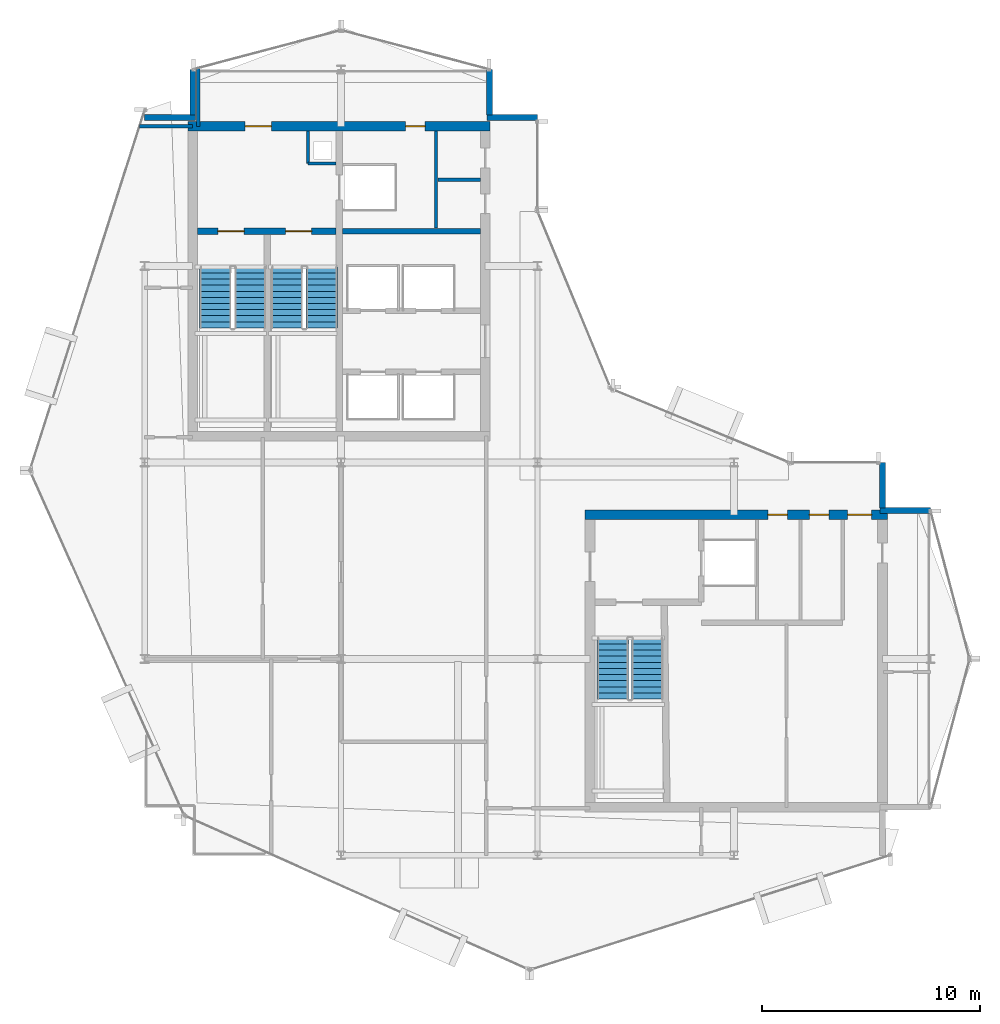
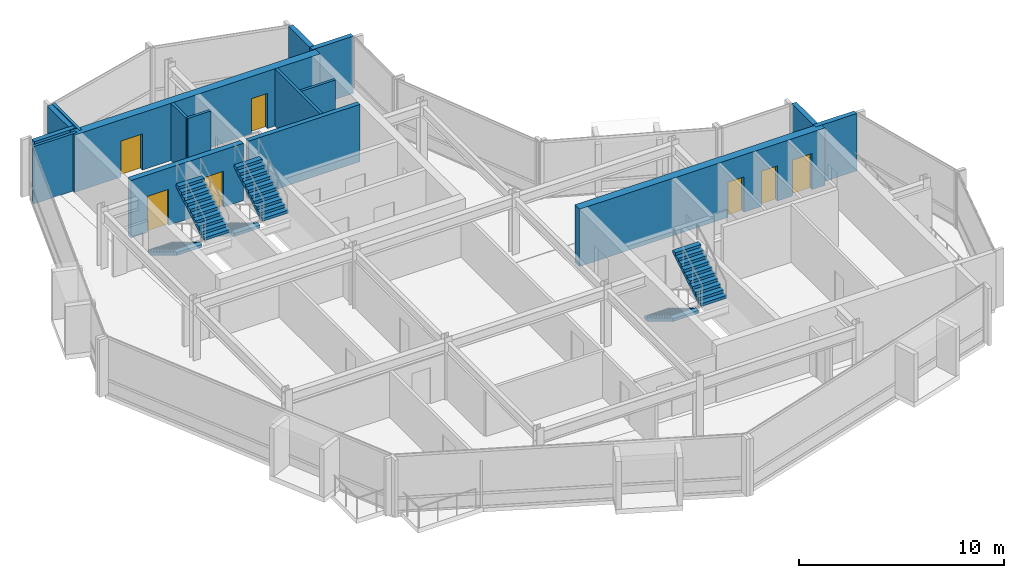
# One storey, part 15 of 19: 16 walls, 7 doors, 6 stair flights, 7 openings, 3 elements without a shape of their own.
"""IFC4 building model written with IfcOpenShell, lengths in metres."""

from ifc_helpers import new_model, si_unit, direction, frame, frame_2d, origin, place, context, subcontext, project, spatial, polyline, rectangle, outline, extrude, material, layer, layer_set, type_object, element, fill, aggregate, save


model = new_model("IFC4")

# Units and contexts
model_context = context("Model", 3, precision=1e-05, world=origin(), true_north=direction((0.0, 1.0)))
body_context = subcontext(model_context, "Body", "Model", "MODEL_VIEW")
ifc_project = project(units=[si_unit("LENGTHUNIT", "METRE"), si_unit("AREAUNIT", "SQUARE_METRE"), si_unit("VOLUMEUNIT", "CUBIC_METRE"), si_unit("PLANEANGLEUNIT", "RADIAN"), si_unit("MASSUNIT", "GRAM", prefix="KILO")], contexts=[model_context])

# Site, building, storey
site_placement = place(None, origin())
site = spatial("IfcSite", under=ifc_project, at=site_placement, CompositionType="ELEMENT")
building_placement = place(site_placement, origin())
building = spatial("IfcBuilding", under=site, at=building_placement, Name="Solvaryn Broadcast Tower", CompositionType="ELEMENT")
storey_placement = place(building_placement, frame((0.0, 0.0, 251.89990234375)))
storey = spatial("IfcBuildingStorey", under=building, at=storey_placement, Name="L63", CompositionType="ELEMENT", Elevation=251.89990234375)

# Wall, openings, doors
ifc_material_1 = material(Name="Concrete f'c 70 MPa", Category="concrete")
ifc_layer_1 = layer(ifc_material_1, 0.449951171875)
ifc_layer_set_1 = layer_set([ifc_layer_1], Name="CW-SHEAR-450")
wall_type_1 = type_object("IfcWallType", Name="CW-SHEAR-450", PredefinedType="SHEAR", material=ifc_layer_set_1)
wall_1_placement = place(storey_placement, frame((24.824951171875, 42.39990234375, 0.0), z_axis=(0.0, 0.0, 1.0), x_axis=(-1.0, 0.0, 0.0)))
wall_1 = element("IfcWall", 1, at=wall_1_placement, inside=storey, type_object=wall_type_1, Name="L63 West Core North Shear Wall", PredefinedType="SHEAR", context=body_context, shape_type="SweptSolid", body=[
    extrude(rectangle(XDim=13.849853515625, YDim=0.449951171875, at=frame_2d((6.9248046875, 0.0))), origin(), (0.0, 0.0, 1.0), 3.420166015625),
])
opening_1_placement = place(wall_1_placement, frame((10.02490234375, 0.0, 0.0)))
opening_1 = element("IfcOpeningElement", 2, at=opening_1_placement, cuts=wall_1, Name="Opening FD90A", PredefinedType="OPENING", context=body_context, shape_type="SweptSolid", body=[
    extrude(rectangle(XDim=1.199951171875, YDim=2.14990234375, at=frame_2d((0.60009765625, 1.074951171875))), frame((0.0, 0.235107421875, 0.0), z_axis=(0.0, -1.0, 0.0), x_axis=(1.0, 0.0, 0.0)), (0.0, 0.0, 1.0), 0.469970703125),
])
opening_2_placement = place(wall_1_placement, frame((2.97509765625, 0.0, 0.0)))
opening_2 = element("IfcOpeningElement", 3, at=opening_2_placement, cuts=wall_1, Name="Opening FD60C", PredefinedType="OPENING", context=body_context, shape_type="SweptSolid", body=[
    extrude(rectangle(XDim=0.89990234375, YDim=2.10009765625, at=frame_2d((0.449951171875, 1.050048828125))), frame((0.0, 0.235107421875, 0.0), z_axis=(0.0, -1.0, 0.0), x_axis=(1.0, 0.0, 0.0)), (0.0, 0.0, 1.0), 0.469970703125),
])
ifc_material_2 = material(Name="Flush Acoustic Steel and Timber Door Assembly", Category="steel")
door_type_1 = type_object("IfcDoorType", Name="FD60-SERV-900X2100", OperationType="NOTDEFINED", PredefinedType="DOOR", material=ifc_material_2)
door_1_placement = place(opening_2_placement, origin())
door_1 = element("IfcDoor", 4, at=door_1_placement, inside=storey, type_object=door_type_1, Name="L63 West Core Fiber Riser Door", OperationType="SINGLE_SWING_RIGHT", OverallHeight=2.10009765625, OverallWidth=0.89990234375, PredefinedType="DOOR", context=body_context, shape_type="SweptSolid", body=[
    extrude(rectangle(XDim=0.89990234375, YDim=2.10009765625, at=frame_2d((0.449951171875, 1.050048828125))), frame((0.0, 0.02490234375, 0.0), z_axis=(0.0, -1.0, 0.0), x_axis=(1.0, 0.0, 0.0)), (0.0, 0.0, 1.0), 0.050048828125),
])
fill(opening_2, door_1)
ifc_material_3 = material(Name="Flush Acoustic Steel and Timber Door Assembly", Category="steel")
door_type_2 = type_object("IfcDoorType", Name="FD90-STAIR-1200X2150", OperationType="NOTDEFINED", PredefinedType="DOOR", material=ifc_material_3)
door_2_placement = place(opening_1_placement, origin())
door_2 = element("IfcDoor", 5, at=door_2_placement, inside=storey, type_object=door_type_2, Name="L63 West FSAE Lobby Corridor Door", OperationType="SINGLE_SWING_LEFT", OverallHeight=2.14990234375, OverallWidth=1.199951171875, PredefinedType="DOOR", context=body_context, shape_type="SweptSolid", body=[
    extrude(rectangle(XDim=1.199951171875, YDim=2.14990234375, at=frame_2d((0.60009765625, 1.074951171875))), frame((0.0, 0.02490234375, 0.0), z_axis=(0.0, -1.0, 0.0), x_axis=(1.0, 0.0, 0.0)), (0.0, 0.0, 1.0), 0.050048828125),
])
fill(opening_1, door_2)

wall_2_placement = place(storey_placement, frame((43.02490234375, 24.60009765625, 0.0), z_axis=(0.0, 0.0, 1.0), x_axis=(-1.0, 0.0, 0.0)))
wall_2 = element("IfcWall", 6, at=wall_2_placement, inside=storey, type_object=wall_type_1, Name="L63 East Core North Shear Wall", PredefinedType="SHEAR", context=body_context, shape_type="SweptSolid", body=[
    extrude(rectangle(XDim=13.849853515625, YDim=0.449951171875, at=frame_2d((6.9248046875, 0.0))), origin(), (0.0, 0.0, 1.0), 3.420166015625),
])
opening_3_placement = place(wall_2_placement, frame((0.72509765625, 0.0, 0.0)))
opening_3 = element("IfcOpeningElement", 7, at=opening_3_placement, cuts=wall_2, Name="Opening FD90C", PredefinedType="OPENING", context=body_context, shape_type="SweptSolid", body=[
    extrude(rectangle(XDim=1.10009765625, YDim=2.14990234375, at=frame_2d((0.550048828125, 1.074951171875))), frame((0.0, 0.235107421875, 0.0), z_axis=(0.0, -1.0, 0.0), x_axis=(1.0, 0.0, 0.0)), (0.0, 0.0, 1.0), 0.469970703125),
])
opening_4_placement = place(wall_2_placement, frame((2.675048828125, 0.0, 0.0)))
opening_4 = element("IfcOpeningElement", 8, at=opening_4_placement, cuts=wall_2, Name="Opening FD60C", PredefinedType="OPENING", context=body_context, shape_type="SweptSolid", body=[
    extrude(rectangle(XDim=0.89990234375, YDim=2.10009765625, at=frame_2d((0.449951171875, 1.050048828125))), frame((0.0, 0.235107421875, 0.0), z_axis=(0.0, -1.0, 0.0), x_axis=(1.0, 0.0, 0.0)), (0.0, 0.0, 1.0), 0.469970703125),
])
opening_5_placement = place(wall_2_placement, frame((4.574951171875, 0.0, 0.0)))
opening_5 = element("IfcOpeningElement", 9, at=opening_5_placement, cuts=wall_2, Name="Opening FD60C", PredefinedType="OPENING", context=body_context, shape_type="SweptSolid", body=[
    extrude(rectangle(XDim=0.89990234375, YDim=2.10009765625, at=frame_2d((0.449951171875, 1.050048828125))), frame((0.0, 0.235107421875, 0.0), z_axis=(0.0, -1.0, 0.0), x_axis=(1.0, 0.0, 0.0)), (0.0, 0.0, 1.0), 0.469970703125),
])
door_3_placement = place(opening_4_placement, origin())
door_3 = element("IfcDoor", 10, at=door_3_placement, inside=storey, type_object=door_type_1, Name="L63 Staff Restroom Door", OperationType="SINGLE_SWING_LEFT", OverallHeight=2.10009765625, OverallWidth=0.89990234375, PredefinedType="DOOR", context=body_context, shape_type="SweptSolid", body=[
    extrude(rectangle(XDim=0.89990234375, YDim=2.10009765625, at=frame_2d((0.449951171875, 1.050048828125))), frame((0.0, 0.02490234375, 0.0), z_axis=(0.0, -1.0, 0.0), x_axis=(1.0, 0.0, 0.0)), (0.0, 0.0, 1.0), 0.050048828125),
])
fill(opening_4, door_3)
door_4_placement = place(opening_5_placement, origin())
door_4 = element("IfcDoor", 11, at=door_4_placement, inside=storey, type_object=door_type_1, Name="L63 Accessible WC Door", OperationType="SINGLE_SWING_RIGHT", OverallHeight=2.10009765625, OverallWidth=0.89990234375, PredefinedType="DOOR", context=body_context, shape_type="SweptSolid", body=[
    extrude(rectangle(XDim=0.89990234375, YDim=2.10009765625, at=frame_2d((0.449951171875, 1.050048828125))), frame((0.0, 0.02490234375, 0.0), z_axis=(0.0, -1.0, 0.0), x_axis=(1.0, 0.0, 0.0)), (0.0, 0.0, 1.0), 0.050048828125),
])
fill(opening_5, door_4)
ifc_material_4 = material(Name="Flush Acoustic Steel and Timber Door Assembly", Category="steel")
door_type_3 = type_object("IfcDoorType", Name="FD90-PLANT-1100X2150", OperationType="NOTDEFINED", PredefinedType="DOOR", material=ifc_material_4)
door_5_placement = place(opening_3_placement, origin())
door_5 = element("IfcDoor", 12, at=door_5_placement, inside=storey, type_object=door_type_3, Name="L63 East Core Lobby Corridor Door", OperationType="SINGLE_SWING_LEFT", OverallHeight=2.14990234375, OverallWidth=1.10009765625, PredefinedType="DOOR", context=body_context, shape_type="SweptSolid", body=[
    extrude(rectangle(XDim=1.10009765625, YDim=2.14990234375, at=frame_2d((0.550048828125, 1.074951171875))), frame((0.0, 0.02490234375, 0.0), z_axis=(0.0, -1.0, 0.0), x_axis=(1.0, 0.0, 0.0)), (0.0, 0.0, 1.0), 0.050048828125),
])
fill(opening_3, door_5)

# Walls
ifc_material_5 = material(Name="Concrete f'c 50 MPa", Category="concrete")
ifc_layer_2 = layer(ifc_material_5, 0.260009765625)
ifc_layer_set_2 = layer_set([ifc_layer_2], Name="EW-PIER-260")
wall_type_2 = type_object("IfcWallType", Name="EW-PIER-260", PredefinedType="SOLIDWALL", material=ifc_layer_set_2)
wall_3_placement = place(storey_placement, frame((9.0, 42.800048828125, 0.0), z_axis=(0.0, 0.0, 1.0), x_axis=(1.0, 0.0, 0.0)))
element("IfcWall", 13, at=wall_3_placement, inside=storey, type_object=wall_type_2, Name="L63 Notched Corner Pier Wall NNW1", PredefinedType="SOLIDWALL", context=body_context, shape_type="SweptSolid", body=[
    extrude(rectangle(XDim=2.320068359375, YDim=0.260009765625, at=frame_2d((1.16015625, 0.0))), origin(), (0.0, 0.0, 1.0), 3.420166015625),
])
for number, where, z_axis, x_axis, name in (
    (14, (11.199951171875, 42.919921875, 0.0), (0.0, 0.0, 1.0), (0.0, 1.0, 0.0), "L63 Notched Corner Pier Wall NNW2"),
    (15, (24.800048828125, 45.0, 0.0), (0.0, 0.0, 1.0), (0.0, -1.0, 0.0), "L63 Notched Corner Pier Wall NNE1"),
):
    element("IfcWall", number, at=place(storey_placement, frame(where, z_axis=z_axis, x_axis=x_axis)), inside=storey, type_object=wall_type_2, Name=name, PredefinedType="SOLIDWALL", context=body_context, shape_type="SweptSolid", body=[
        extrude(rectangle(XDim=2.080078125, YDim=0.260009765625, at=frame_2d((1.0400390625, 0.0))), origin(), (0.0, 0.0, 1.0), 3.420166015625),
    ])
for number, where, z_axis, x_axis, name in (
    (16, (24.679931640625, 42.800048828125, 0.0), (0.0, 0.0, 1.0), (1.0, 0.0, 0.0), "L63 Notched Corner Pier Wall NNE2"),
    (17, (45.0, 24.800048828125, 0.0), (0.0, 0.0, 1.0), (-1.0, 0.0, 0.0), "L63 Notched Corner Pier Wall NEE1"),
):
    element("IfcWall", number, at=place(storey_placement, frame(where, z_axis=z_axis, x_axis=x_axis)), inside=storey, type_object=wall_type_2, Name=name, PredefinedType="SOLIDWALL", context=body_context, shape_type="SweptSolid", body=[
        extrude(rectangle(XDim=2.320068359375, YDim=0.260009765625, at=frame_2d((1.16015625, 0.0))), origin(), (0.0, 0.0, 1.0), 3.420166015625),
    ])
wall_4_placement = place(storey_placement, frame((42.800048828125, 24.919921875, 0.0), z_axis=(0.0, 0.0, 1.0), x_axis=(0.0, 1.0, 0.0)))
element("IfcWall", 18, at=wall_4_placement, inside=storey, type_object=wall_type_2, Name="L63 Notched Corner Pier Wall NEE2", PredefinedType="SOLIDWALL", context=body_context, shape_type="SweptSolid", body=[
    extrude(rectangle(XDim=2.080078125, YDim=0.260009765625, at=frame_2d((1.0400390625, 0.0))), origin(), (0.0, 0.0, 1.0), 3.420166015625),
])
ifc_material_6 = material(Name="Metal-Stud Service Core Partition")
ifc_layer_3 = layer(ifc_material_6, 0.14990234375)
ifc_layer_set_3 = layer_set([ifc_layer_3], Name="IW-PART-150")
wall_type_3 = type_object("IfcWallType", Name="IW-PART-150", PredefinedType="PARTITIONING", material=ifc_layer_set_3)
wall_5_placement = place(storey_placement, frame((16.47998046875, 40.699951171875, 0.0), z_axis=(0.0, 0.0, 1.0), x_axis=(1.0, 0.0, 0.0)))
element("IfcWall", 19, at=wall_5_placement, inside=storey, type_object=wall_type_3, Name="L63 West Core Riser Shaft South Wall", PredefinedType="PARTITIONING", context=body_context, shape_type="SweptSolid", body=[
    extrude(rectangle(XDim=1.2900390625, YDim=0.14990234375, at=frame_2d((0.64501953125, 0.0))), origin(), (0.0, 0.0, 1.0), 3.420166015625),
])
wall_6_placement = place(storey_placement, frame((16.47998046875, 40.699951171875, 0.0), z_axis=(0.0, 0.0, 1.0), x_axis=(0.0, 1.0, 0.0)))
element("IfcWall", 20, at=wall_6_placement, inside=storey, type_object=wall_type_3, Name="L63 West Core Riser Shaft West Wall", PredefinedType="PARTITIONING", context=body_context, shape_type="SweptSolid", body=[
    extrude(rectangle(XDim=1.47509765625, YDim=0.14990234375, at=frame_2d((0.737548828125, 0.0))), origin(), (0.0, 0.0, 1.0), 3.420166015625),
])
wall_7_placement = place(storey_placement, frame((22.35009765625, 37.72998046875, 0.0), z_axis=(0.0, 0.0, 1.0), x_axis=(0.0, 1.0, 0.0)))
element("IfcWall", 21, at=wall_7_placement, inside=storey, type_object=wall_type_3, Name="L63 Interior Partition IW-L63-CWS-V", PredefinedType="PARTITIONING", context=body_context, shape_type="SweptSolid", body=[
    extrude(rectangle(XDim=4.445068359375, YDim=0.14990234375, at=frame_2d((2.22265625, 0.0))), origin(), (0.0, 0.0, 1.0), 3.420166015625),
])
wall_8_placement = place(storey_placement, frame((22.429931640625, 39.949951171875, 0.0), z_axis=(0.0, 0.0, 1.0), x_axis=(1.0, 0.0, 0.0)))
element("IfcWall", 22, at=wall_8_placement, inside=storey, type_object=wall_type_3, Name="L63 Interior Partition IW-L63-CWS-H", PredefinedType="PARTITIONING", context=body_context, shape_type="SweptSolid", body=[
    extrude(rectangle(XDim=1.945068359375, YDim=0.14990234375, at=frame_2d((0.97265625, 0.0))), origin(), (0.0, 0.0, 1.0), 3.420166015625),
])
ifc_material_7 = material(Name="Metal-Stud Gypsum Office Partition")
ifc_layer_4 = layer(ifc_material_7, 0.159912109375)
ifc_layer_set_4 = layer_set([ifc_layer_4], Name="IW-PART-160")
wall_type_4 = type_object("IfcWallType", Name="IW-PART-160", PredefinedType="PARTITIONING", material=ifc_layer_set_4)
wall_9_placement = place(storey_placement, frame((8.760986328125, 42.39990234375, 0.0), z_axis=(0.0, 0.0, 1.0), x_axis=(1.0, 0.0, 0.0)))
element("IfcWall", 23, at=wall_9_placement, inside=storey, type_object=wall_type_4, Name="L63 Interior Partition IW-L63-WM-N", PredefinedType="PARTITIONING", context=body_context, shape_type="SweptSolid", body=[
    extrude(rectangle(XDim=2.43896484375, YDim=0.159912109375, at=frame_2d((1.219482421875, 0.0))), origin(), (0.0, 0.0, 1.0), 3.420166015625),
])
wall_10_placement = place(storey_placement, frame((11.449951171875, 42.39990234375, 0.0), z_axis=(0.0, 0.0, 1.0), x_axis=(0.0, 1.0, 0.0)))
element("IfcWall", 24, at=wall_10_placement, inside=storey, type_object=wall_type_4, Name="L63 Interior Partition IW-L63-WM-E", PredefinedType="PARTITIONING", context=body_context, shape_type="SweptSolid", body=[
    extrude(rectangle(XDim=2.666015625, YDim=0.159912109375, at=frame_2d((1.3330078125, 0.0))), origin(), (0.0, 0.0, 1.0), 3.420166015625),
])
ifc_material_8 = material(Name="Concrete f'c 60 MPa", Category="concrete")
ifc_layer_5 = layer(ifc_material_8, 0.25)
ifc_layer_set_5 = layer_set([ifc_layer_5], Name="SW-SHAFT-250")
wall_type_5 = type_object("IfcWallType", Name="SW-SHAFT-250", PredefinedType="PARTITIONING", material=ifc_layer_set_5)
wall_11_placement = place(storey_placement, frame((18.070068359375, 37.60009765625, 0.0), z_axis=(0.0, 0.0, 1.0), x_axis=(1.0, 0.0, 0.0)))
element("IfcWall", 25, at=wall_11_placement, inside=storey, type_object=wall_type_5, Name="L63 West Core FSAE Hoistway Front Wall", PredefinedType="PARTITIONING", context=body_context, shape_type="SweptSolid", body=[
    extrude(rectangle(XDim=6.304931640625, YDim=0.25, at=frame_2d((3.15234375, 0.0))), origin(), (0.0, 0.0, 1.0), 3.420166015625),
])

# Wall, openings, doors
ifc_material_9 = material(Name="Concrete f'c 70 MPa", Category="concrete")
ifc_layer_6 = layer(ifc_material_9, 0.300048828125)
ifc_layer_set_6 = layer_set([ifc_layer_6], Name="SW-SHAFT-300")
wall_type_6 = type_object("IfcWallType", Name="SW-SHAFT-300", PredefinedType="SHEAR", material=ifc_layer_set_6)
wall_12_placement = place(storey_placement, frame((17.77001953125, 37.60009765625, 0.0), z_axis=(0.0, 0.0, 1.0), x_axis=(-1.0, 0.0, 0.0)))
wall_12 = element("IfcWall", 26, at=wall_12_placement, inside=storey, type_object=wall_type_6, Name="L63 West Core FSAE Lobby South Wall", PredefinedType="SHEAR", context=body_context, shape_type="SweptSolid", body=[
    extrude(rectangle(XDim=6.344970703125, YDim=0.300048828125, at=frame_2d((3.17236328125, 0.0))), origin(), (0.0, 0.0, 1.0), 3.420166015625),
])
opening_6_placement = place(wall_12_placement, frame((4.219970703125, 0.0, 0.0)))
opening_6 = element("IfcOpeningElement", 27, at=opening_6_placement, cuts=wall_12, Name="Opening FD90A", PredefinedType="OPENING", context=body_context, shape_type="SweptSolid", body=[
    extrude(rectangle(XDim=1.199951171875, YDim=2.14990234375, at=frame_2d((0.60009765625, 1.074951171875))), frame((0.0, 0.159912109375, 0.0), z_axis=(0.0, -1.0, 0.0), x_axis=(1.0, 0.0, 0.0)), (0.0, 0.0, 1.0), 0.320068359375),
])
opening_7_placement = place(wall_12_placement, frame((1.1201171875, 0.0, 0.0)))
opening_7 = element("IfcOpeningElement", 28, at=opening_7_placement, cuts=wall_12, Name="Opening FD90A", PredefinedType="OPENING", context=body_context, shape_type="SweptSolid", body=[
    extrude(rectangle(XDim=1.199951171875, YDim=2.14990234375, at=frame_2d((0.60009765625, 1.074951171875))), frame((0.0, 0.159912109375, 0.0), z_axis=(0.0, -1.0, 0.0), x_axis=(1.0, 0.0, 0.0)), (0.0, 0.0, 1.0), 0.320068359375),
])
door_6_placement = place(opening_6_placement, origin())
door_6 = element("IfcDoor", 29, at=door_6_placement, inside=storey, type_object=door_type_2, Name="L63 Stair 1 Fire Door", OperationType="SINGLE_SWING_LEFT", OverallHeight=2.14990234375, OverallWidth=1.199951171875, PredefinedType="DOOR", context=body_context, shape_type="SweptSolid", body=[
    extrude(rectangle(XDim=1.199951171875, YDim=2.14990234375, at=frame_2d((0.60009765625, 1.074951171875))), frame((0.0, 0.02490234375, 0.0), z_axis=(0.0, -1.0, 0.0), x_axis=(1.0, 0.0, 0.0)), (0.0, 0.0, 1.0), 0.050048828125),
])
fill(opening_6, door_6)
door_7_placement = place(opening_7_placement, origin())
door_7 = element("IfcDoor", 30, at=door_7_placement, inside=storey, type_object=door_type_2, Name="L63 Stair 2 Fire Door", OperationType="SINGLE_SWING_RIGHT", OverallHeight=2.14990234375, OverallWidth=1.199951171875, PredefinedType="DOOR", context=body_context, shape_type="SweptSolid", body=[
    extrude(rectangle(XDim=1.199951171875, YDim=2.14990234375, at=frame_2d((0.60009765625, 1.074951171875))), frame((0.0, 0.02490234375, 0.0), z_axis=(0.0, -1.0, 0.0), x_axis=(1.0, 0.0, 0.0)), (0.0, 0.0, 1.0), 0.050048828125),
])
fill(opening_7, door_7)

# Stair, stair flights
ifc_material_10 = material(Name="Concrete f'c 60 MPa", Category="concrete")
stair_type = type_object("IfcStairType", Name="ST-CORE", PredefinedType="HALF_TURN_STAIR", material=ifc_material_10)
stair_1_placement = place(storey_placement, origin())
stair_1 = element("IfcStair", 31, at=stair_1_placement, inside=storey, type_object=stair_type, Name="L63 ST1", PredefinedType="HALF_TURN_STAIR")
ifc_material_11 = material(Name="Concrete f'c 60 MPa", Category="concrete")
ifc_layer_7 = layer(ifc_material_11, 0.159912109375)
ifc_layer_set_7 = layer_set([ifc_layer_7], Name="SF-CORE")
stair_flight_type = type_object("IfcStairFlightType", Name="SF-CORE", PredefinedType="STRAIGHT", material=ifc_layer_set_7)
stair_flight_1_placement = place(storey_placement, frame((12.239990234375, 35.9599609375, 0.0), z_axis=(0.0, 0.0, 1.0), x_axis=(0.0, -1.0, 0.0)))
stair_flight_1 = element("IfcStairFlight", 32, at=stair_flight_1_placement, type_object=stair_flight_type, Name="ST1 flight 1", NumberOfRisers=11, NumberOfTreads=10, PredefinedType="STRAIGHT", RiserHeight=0.168181818, TreadLength=0.28, context=body_context, shape_type="SweptSolid", body=[
    extrude(outline(polyline([(0.0, 0.0), (0.0, 0.168212890625), (0.280029296875, 0.168212890625), (0.280029296875, 0.33642578125), (0.56005859375, 0.33642578125), (0.56005859375, 0.504638671875), (0.840087890625, 0.504638671875), (0.840087890625, 0.672607421875), (1.1201171875, 0.672607421875), (1.1201171875, 0.8408203125), (1.39990234375, 0.8408203125), (1.39990234375, 1.009033203125), (1.679931640625, 1.009033203125), (1.679931640625, 1.17724609375), (1.9599609375, 1.17724609375), (1.9599609375, 1.345458984375), (2.239990234375, 1.345458984375), (2.239990234375, 1.513671875), (2.52001953125, 1.513671875), (2.52001953125, 1.681884765625), (2.800048828125, 1.681884765625), (2.800048828125, 1.85009765625), (2.800048828125, 1.5068359375), (0.291015625, 0.0), (0.0, 0.0)])), frame((0.0, 0.719970703125, 0.0), z_axis=(0.0, -1.0, 0.0), x_axis=(1.0, 0.0, 0.0)), (0.0, 0.0, 1.0), 1.43994140625),
])
stair_flight_2_placement = place(storey_placement, frame((13.830078125, 33.159912109375, 1.85009765625), z_axis=(0.0, 0.0, 1.0), x_axis=(0.0, 1.0, 0.0)))
stair_flight_2 = element("IfcStairFlight", 33, at=stair_flight_2_placement, type_object=stair_flight_type, Name="ST1 flight 2", NumberOfRisers=11, NumberOfTreads=10, PredefinedType="STRAIGHT", RiserHeight=0.168181818, TreadLength=0.28, context=body_context, shape_type="SweptSolid", body=[
    extrude(outline(polyline([(0.0, 0.0), (0.0, 0.168212890625), (0.280029296875, 0.168212890625), (0.280029296875, 0.33642578125), (0.56005859375, 0.33642578125), (0.56005859375, 0.504638671875), (0.840087890625, 0.504638671875), (0.840087890625, 0.672607421875), (1.1201171875, 0.672607421875), (1.1201171875, 0.8408203125), (1.39990234375, 0.8408203125), (1.39990234375, 1.009033203125), (1.679931640625, 1.009033203125), (1.679931640625, 1.17724609375), (1.9599609375, 1.17724609375), (1.9599609375, 1.345458984375), (2.239990234375, 1.345458984375), (2.239990234375, 1.513671875), (2.52001953125, 1.513671875), (2.52001953125, 1.681884765625), (2.800048828125, 1.681884765625), (2.800048828125, 1.85009765625), (2.800048828125, 1.5068359375), (0.291015625, 0.0), (0.0, 0.0)])), frame((0.0, 0.719970703125, 0.0), z_axis=(0.0, -1.0, 0.0), x_axis=(1.0, 0.0, 0.0)), (0.0, 0.0, 1.0), 1.43994140625),
])
aggregate(stair_1, [stair_flight_1, stair_flight_2])

stair_2_placement = place(storey_placement, origin())
stair_2 = element("IfcStair", 34, at=stair_2_placement, inside=storey, type_object=stair_type, Name="L63 ST2", PredefinedType="HALF_TURN_STAIR")
stair_flight_3_placement = place(storey_placement, frame((15.52001953125, 35.9599609375, 0.0), z_axis=(0.0, 0.0, 1.0), x_axis=(0.0, -1.0, 0.0)))
stair_flight_3 = element("IfcStairFlight", 35, at=stair_flight_3_placement, type_object=stair_flight_type, Name="ST2 flight 1", NumberOfRisers=11, NumberOfTreads=10, PredefinedType="STRAIGHT", RiserHeight=0.168181818, TreadLength=0.28, context=body_context, shape_type="SweptSolid", body=[
    extrude(outline(polyline([(0.0, 0.0), (0.0, 0.168212890625), (0.280029296875, 0.168212890625), (0.280029296875, 0.33642578125), (0.56005859375, 0.33642578125), (0.56005859375, 0.504638671875), (0.840087890625, 0.504638671875), (0.840087890625, 0.672607421875), (1.1201171875, 0.672607421875), (1.1201171875, 0.8408203125), (1.39990234375, 0.8408203125), (1.39990234375, 1.009033203125), (1.679931640625, 1.009033203125), (1.679931640625, 1.17724609375), (1.9599609375, 1.17724609375), (1.9599609375, 1.345458984375), (2.239990234375, 1.345458984375), (2.239990234375, 1.513671875), (2.52001953125, 1.513671875), (2.52001953125, 1.681884765625), (2.800048828125, 1.681884765625), (2.800048828125, 1.85009765625), (2.800048828125, 1.5068359375), (0.291015625, 0.0), (0.0, 0.0)])), frame((0.0, 0.719970703125, 0.0), z_axis=(0.0, -1.0, 0.0), x_axis=(1.0, 0.0, 0.0)), (0.0, 0.0, 1.0), 1.43994140625),
])
stair_flight_4_placement = place(storey_placement, frame((17.110107421875, 33.159912109375, 1.85009765625), z_axis=(0.0, 0.0, 1.0), x_axis=(0.0, 1.0, 0.0)))
stair_flight_4 = element("IfcStairFlight", 36, at=stair_flight_4_placement, type_object=stair_flight_type, Name="ST2 flight 2", NumberOfRisers=11, NumberOfTreads=10, PredefinedType="STRAIGHT", RiserHeight=0.168181818, TreadLength=0.28, context=body_context, shape_type="SweptSolid", body=[
    extrude(outline(polyline([(0.0, 0.0), (0.0, 0.168212890625), (0.280029296875, 0.168212890625), (0.280029296875, 0.33642578125), (0.56005859375, 0.33642578125), (0.56005859375, 0.504638671875), (0.840087890625, 0.504638671875), (0.840087890625, 0.672607421875), (1.1201171875, 0.672607421875), (1.1201171875, 0.8408203125), (1.39990234375, 0.8408203125), (1.39990234375, 1.009033203125), (1.679931640625, 1.009033203125), (1.679931640625, 1.17724609375), (1.9599609375, 1.17724609375), (1.9599609375, 1.345458984375), (2.239990234375, 1.345458984375), (2.239990234375, 1.513671875), (2.52001953125, 1.513671875), (2.52001953125, 1.681884765625), (2.800048828125, 1.681884765625), (2.800048828125, 1.85009765625), (2.800048828125, 1.5068359375), (0.291015625, 0.0), (0.0, 0.0)])), frame((0.0, 0.719970703125, 0.0), z_axis=(0.0, -1.0, 0.0), x_axis=(1.0, 0.0, 0.0)), (0.0, 0.0, 1.0), 1.43994140625),
])
aggregate(stair_2, [stair_flight_3, stair_flight_4])

stair_3_placement = place(storey_placement, origin())
stair_3 = element("IfcStair", 37, at=stair_3_placement, inside=storey, type_object=stair_type, Name="L63 ST3", PredefinedType="HALF_TURN_STAIR")
stair_flight_5_placement = place(storey_placement, frame((30.43994140625, 18.9599609375, 0.0), z_axis=(0.0, 0.0, 1.0), x_axis=(0.0, -1.0, 0.0)))
stair_flight_5 = element("IfcStairFlight", 38, at=stair_flight_5_placement, type_object=stair_flight_type, Name="ST3 flight 1", NumberOfRisers=11, NumberOfTreads=10, PredefinedType="STRAIGHT", RiserHeight=0.168181818, TreadLength=0.28, context=body_context, shape_type="SweptSolid", body=[
    extrude(outline(polyline([(0.0, 0.0), (0.0, 0.168212890625), (0.280029296875, 0.168212890625), (0.280029296875, 0.33642578125), (0.56005859375, 0.33642578125), (0.56005859375, 0.504638671875), (0.840087890625, 0.504638671875), (0.840087890625, 0.672607421875), (1.1201171875, 0.672607421875), (1.1201171875, 0.8408203125), (1.39990234375, 0.8408203125), (1.39990234375, 1.009033203125), (1.679931640625, 1.009033203125), (1.679931640625, 1.17724609375), (1.9599609375, 1.17724609375), (1.9599609375, 1.345458984375), (2.239990234375, 1.345458984375), (2.239990234375, 1.513671875), (2.52001953125, 1.513671875), (2.52001953125, 1.681884765625), (2.800048828125, 1.681884765625), (2.800048828125, 1.85009765625), (2.800048828125, 1.5068359375), (0.291015625, 0.0), (0.0, 0.0)])), frame((0.0, 0.719970703125, 0.0), z_axis=(0.0, -1.0, 0.0), x_axis=(1.0, 0.0, 0.0)), (0.0, 0.0, 1.0), 1.43994140625),
])
stair_flight_6_placement = place(storey_placement, frame((32.030029296875, 16.159912109375, 1.85009765625), z_axis=(0.0, 0.0, 1.0), x_axis=(0.0, 1.0, 0.0)))
stair_flight_6 = element("IfcStairFlight", 39, at=stair_flight_6_placement, type_object=stair_flight_type, Name="ST3 flight 2", NumberOfRisers=11, NumberOfTreads=10, PredefinedType="STRAIGHT", RiserHeight=0.168181818, TreadLength=0.28, context=body_context, shape_type="SweptSolid", body=[
    extrude(outline(polyline([(0.0, 0.0), (0.0, 0.168212890625), (0.280029296875, 0.168212890625), (0.280029296875, 0.33642578125), (0.56005859375, 0.33642578125), (0.56005859375, 0.504638671875), (0.840087890625, 0.504638671875), (0.840087890625, 0.672607421875), (1.1201171875, 0.672607421875), (1.1201171875, 0.8408203125), (1.39990234375, 0.8408203125), (1.39990234375, 1.009033203125), (1.679931640625, 1.009033203125), (1.679931640625, 1.17724609375), (1.9599609375, 1.17724609375), (1.9599609375, 1.345458984375), (2.239990234375, 1.345458984375), (2.239990234375, 1.513671875), (2.52001953125, 1.513671875), (2.52001953125, 1.681884765625), (2.800048828125, 1.681884765625), (2.800048828125, 1.85009765625), (2.800048828125, 1.5068359375), (0.291015625, 0.0), (0.0, 0.0)])), frame((0.0, 0.719970703125, 0.0), z_axis=(0.0, -1.0, 0.0), x_axis=(1.0, 0.0, 0.0)), (0.0, 0.0, 1.0), 1.43994140625),
])
aggregate(stair_3, [stair_flight_5, stair_flight_6])

save(model, "model.ifc")
